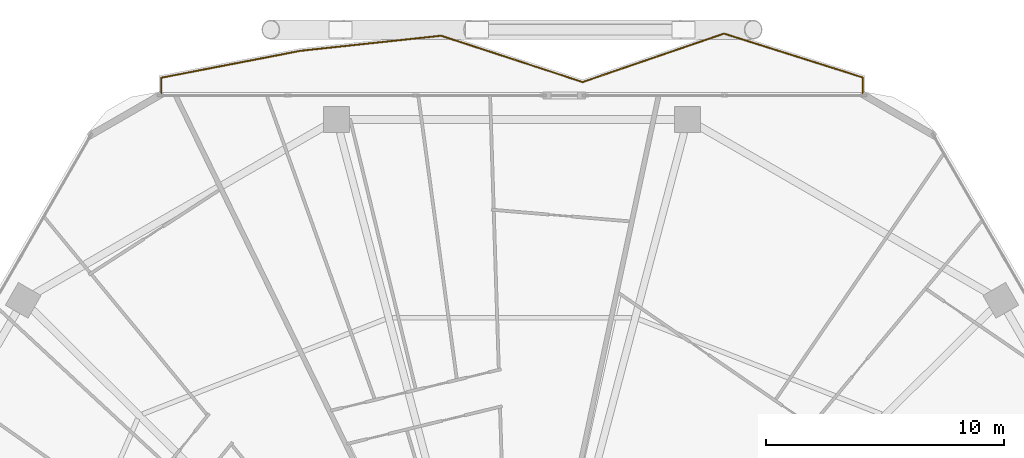
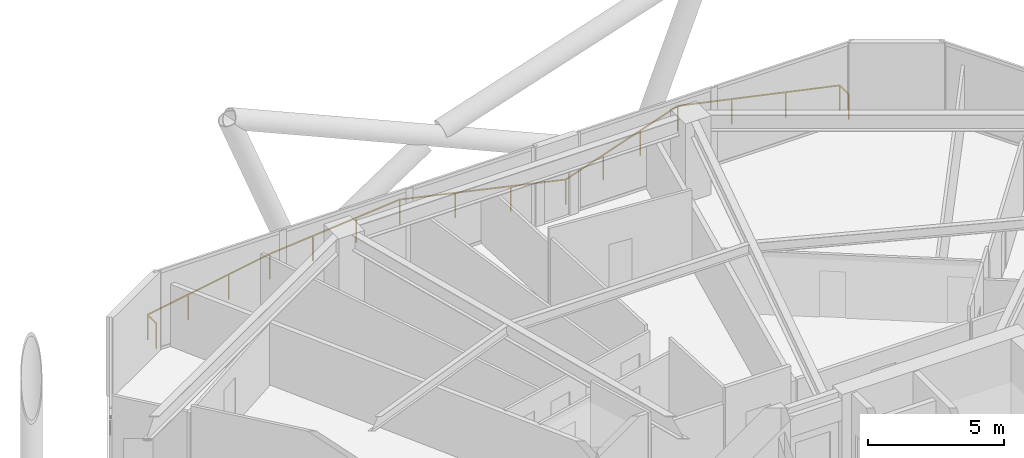
# One storey, part 35 of 35: 1 railing.
"""IFC4 building model written with IfcOpenShell, lengths in metres."""

from ifc_helpers import new_model, si_unit, direction, frame, origin, origin_2d, place, context, subcontext, project, spatial, rectangle, extrude, material, type_object, element, save


model = new_model("IFC4")

# Units and contexts
model_context = context("Model", 3, precision=1e-05, world=origin(), true_north=direction((0.0, 1.0)))
body_context = subcontext(model_context, "Body", "Model", "MODEL_VIEW")
ifc_project = project(units=[si_unit("LENGTHUNIT", "METRE"), si_unit("AREAUNIT", "SQUARE_METRE"), si_unit("VOLUMEUNIT", "CUBIC_METRE"), si_unit("PLANEANGLEUNIT", "RADIAN"), si_unit("MASSUNIT", "GRAM", prefix="KILO")], contexts=[model_context])

# Site, building, storey
site_placement = place(None, origin())
site = spatial("IfcSite", under=ifc_project, at=site_placement, CompositionType="ELEMENT")
building_placement = place(site_placement, origin())
building = spatial("IfcBuilding", under=site, at=building_placement, Name="Zuhravey Tower", CompositionType="ELEMENT")
storey_placement = place(building_placement, frame((0.0, 0.0, 115.199951171875)))
storey = spatial("IfcBuildingStorey", under=building, at=storey_placement, Name="L28", CompositionType="ELEMENT", Elevation=115.199951171875)

# Railing
ifc_material = material(Name="Stainless steel 316 and laminated glass", Category="steel")
railing_type = type_object("IfcRailingType", Name="Balcony & Terrace Guardrail 1150", PredefinedType="BALUSTRADE", material=ifc_material)
railing_placement = place(storey_placement, frame((21.271728515625, 61.04345703125, 0.0)))
element("IfcRailing", 1, at=railing_placement, inside=storey, type_object=railing_type, Name="L28 Face 2 Wave Balcony Guardrail GR1", PredefinedType="BALUSTRADE", context=body_context, shape_type="SweptSolid", body=[
    extrude(rectangle(XDim=0.048095703125, YDim=0.048095703125, at=origin_2d()), frame((0.0, 0.001953125, 1.1259765625), z_axis=(0.0, 1.0, 0.0), x_axis=(-1.0, 0.0, 0.0)), (0.0, 0.0, 1.0), 0.653564453125),
    extrude(rectangle(XDim=0.048095703125, YDim=0.048095703125, at=origin_2d()), frame((0.001953125, 0.657958984375, 1.1259765625), z_axis=(0.981808215411, 0.189875296315, 0.0), x_axis=(-0.189875296315, 0.981808215411, 0.0)), (0.0, 0.0, 1.0), 5.950439453125),
    extrude(rectangle(XDim=0.048095703125, YDim=0.048095703125, at=origin_2d()), frame((5.84814453125, 1.788330078125, 1.1259765625), z_axis=(0.994277700461, 0.106826281252, 0.0), x_axis=(-0.106826281252, 0.994277700461, 0.0)), (0.0, 0.0, 1.0), 5.935791015625),
    extrude(rectangle(XDim=0.048095703125, YDim=0.048095703125, at=origin_2d()), frame((11.75390625, 2.421875, 1.1259765625), z_axis=(0.950329537378, -0.311245514645, 0.0), x_axis=(0.311245514645, 0.950329537378, 0.0)), (0.0, 0.0, 1.0), 6.249267578125),
    extrude(rectangle(XDim=0.048095703125, YDim=0.048095703125, at=origin_2d()), frame((17.696533203125, 0.47705078125, 1.1259765625), z_axis=(0.945890991936, 0.324484562612, 0.0), x_axis=(-0.324484562612, 0.945890991936, 0.0)), (0.0, 0.0, 1.0), 6.267333984375),
    extrude(rectangle(XDim=0.048095703125, YDim=0.048095703125, at=origin_2d()), frame((23.62841796875, 2.5107421875, 1.1259765625), z_axis=(0.953422627274, -0.301637686309, 0.0), x_axis=(0.301637686309, 0.953422627274, 0.0)), (0.0, 0.0, 1.0), 6.11083984375),
    extrude(rectangle(XDim=0.048095703125, YDim=0.048095703125, at=origin_2d()), frame((29.45654296875, 0.664794921875, 1.1259765625), z_axis=(0.0, -1.0, 0.0), x_axis=(1.0, 0.0, 0.0)), (0.0, 0.0, 1.0), 0.662841796875),
    extrude(rectangle(XDim=0.0419921875, YDim=0.0419921875, at=origin_2d()), origin(), (0.0, 0.0, 1.0), 1.099853515625),
    extrude(rectangle(XDim=0.0419921875, YDim=0.0419921875, at=origin_2d()), frame((0.0, 0.657470703125, 0.0)), (0.0, 0.0, 1.0), 1.099853515625),
    extrude(rectangle(XDim=0.0419921875, YDim=0.0419921875, at=origin_2d()), frame((1.94873046875, 1.034423828125, 0.0)), (0.0, 0.0, 1.0), 1.099853515625),
    extrude(rectangle(XDim=0.0419921875, YDim=0.0419921875, at=origin_2d()), frame((3.8974609375, 1.4111328125, 0.0)), (0.0, 0.0, 1.0), 1.099853515625),
    extrude(rectangle(XDim=0.0419921875, YDim=0.0419921875, at=origin_2d()), frame((5.84619140625, 1.7880859375, 0.0)), (0.0, 0.0, 1.0), 1.099853515625),
    extrude(rectangle(XDim=0.0419921875, YDim=0.0419921875, at=origin_2d()), frame((7.814697265625, 1.99951171875, 0.0)), (0.0, 0.0, 1.0), 1.099853515625),
    extrude(rectangle(XDim=0.0419921875, YDim=0.0419921875, at=origin_2d()), frame((9.783447265625, 2.211181640625, 0.0)), (0.0, 0.0, 1.0), 1.099853515625),
    extrude(rectangle(XDim=0.0419921875, YDim=0.0419921875, at=origin_2d()), frame((11.751953125, 2.422607421875, 0.0)), (0.0, 0.0, 1.0), 1.099853515625),
    extrude(rectangle(XDim=0.0419921875, YDim=0.0419921875, at=origin_2d()), frame((13.73291015625, 1.77392578125, 0.0)), (0.0, 0.0, 1.0), 1.099853515625),
    extrude(rectangle(XDim=0.0419921875, YDim=0.0419921875, at=origin_2d()), frame((15.713623046875, 1.125, 0.0)), (0.0, 0.0, 1.0), 1.099853515625),
    extrude(rectangle(XDim=0.0419921875, YDim=0.0419921875, at=origin_2d()), frame((17.694580078125, 0.476318359375, 0.0)), (0.0, 0.0, 1.0), 1.099853515625),
    extrude(rectangle(XDim=0.0419921875, YDim=0.0419921875, at=origin_2d()), frame((19.671875, 1.154541015625, 0.0)), (0.0, 0.0, 1.0), 1.099853515625),
    extrude(rectangle(XDim=0.0419921875, YDim=0.0419921875, at=origin_2d()), frame((21.649169921875, 1.8330078125, 0.0)), (0.0, 0.0, 1.0), 1.099853515625),
    extrude(rectangle(XDim=0.0419921875, YDim=0.0419921875, at=origin_2d()), frame((23.62646484375, 2.51123046875, 0.0)), (0.0, 0.0, 1.0), 1.099853515625),
    extrude(rectangle(XDim=0.0419921875, YDim=0.0419921875, at=origin_2d()), frame((25.56982421875, 1.896484375, 0.0)), (0.0, 0.0, 1.0), 1.099853515625),
    extrude(rectangle(XDim=0.0419921875, YDim=0.0419921875, at=origin_2d()), frame((27.51318359375, 1.281494140625, 0.0)), (0.0, 0.0, 1.0), 1.099853515625),
    extrude(rectangle(XDim=0.0419921875, YDim=0.0419921875, at=origin_2d()), frame((29.45654296875, 0.666748046875, 0.0)), (0.0, 0.0, 1.0), 1.099853515625),
    extrude(rectangle(XDim=0.0419921875, YDim=0.0419921875, at=origin_2d()), frame((29.45654296875, 0.0, 0.0)), (0.0, 0.0, 1.0), 1.099853515625),
])

save(model, "model.ifc")
